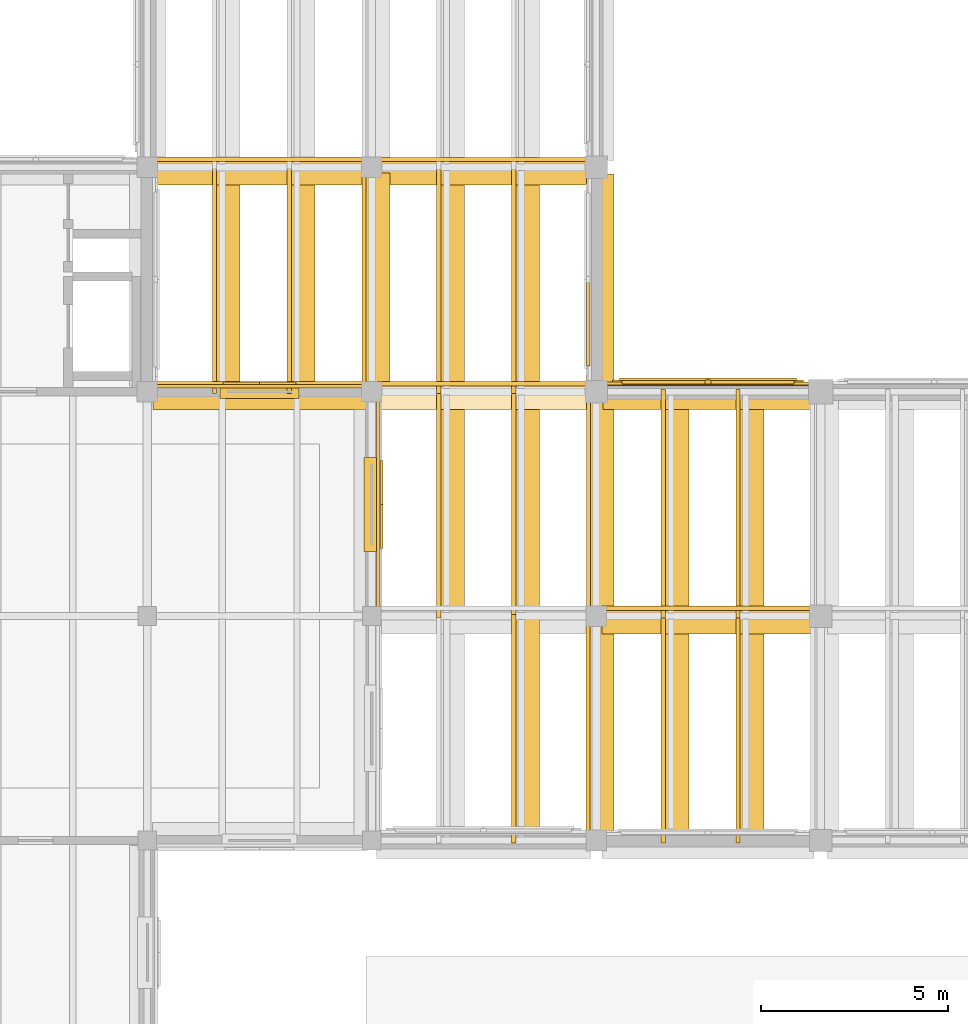
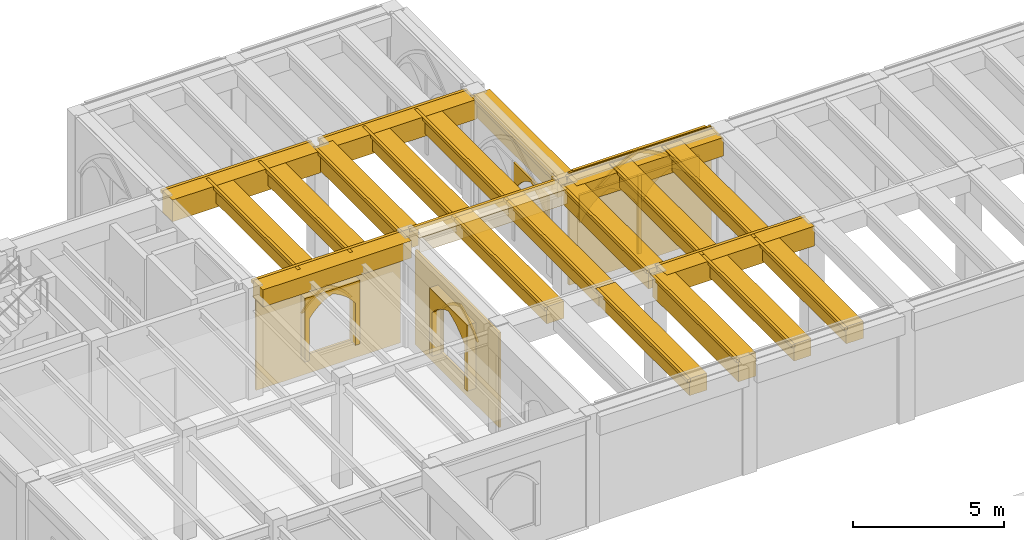
# One storey, part 124 of 127: 55 coverings.
"""IFC4 building model written with IfcOpenShell, lengths in metres."""

from ifc_helpers import new_model, si_unit, direction, frame, origin, origin_2d, place, context, subcontext, project, spatial, polyline, rectangle, outline, extrude, material, type_object, element, save


model = new_model("IFC4")

# Units and contexts
model_context = context("Model", 3, precision=1e-05, world=origin(), true_north=direction((0.0, 1.0)))
body_context = subcontext(model_context, "Body", "Model", "MODEL_VIEW")
ifc_project = project(units=[si_unit("LENGTHUNIT", "METRE"), si_unit("AREAUNIT", "SQUARE_METRE"), si_unit("VOLUMEUNIT", "CUBIC_METRE"), si_unit("PLANEANGLEUNIT", "RADIAN"), si_unit("MASSUNIT", "GRAM", prefix="KILO")], contexts=[model_context])

# Site, building, storey
site_placement = place(None, origin())
site = spatial("IfcSite", under=ifc_project, at=site_placement, CompositionType="ELEMENT")
building_placement = place(site_placement, origin())
building = spatial("IfcBuilding", under=site, at=building_placement, Name="Cumevento Cable Car Station", CompositionType="ELEMENT")
storey_placement = place(building_placement, frame((0.0, 0.0, 4.5)))
storey = spatial("IfcBuildingStorey", under=building, at=storey_placement, Name="L02", CompositionType="ELEMENT", Elevation=4.5)

# Coverings
ifc_material = material(Name="Gnaisse Facoidal Stone Ashlar 85 MPa", Category="masonry")
covering_type = type_object("IfcCoveringType", Name="Gnaisse Ashlar Cladding CV-CL01", PredefinedType="CLADDING", material=ifc_material)
covering_1_placement = place(storey_placement, frame((133.0, 44.851318359375, 3.73583984375), z_axis=(0.0, 0.0, 1.0), x_axis=(1.0, 0.0, 0.0)))
element("IfcCovering", 1, at=covering_1_placement, inside=storey, type_object=covering_type, Name="Gothic Stone Spandrel Stringcourse sc:0450", PredefinedType="CLADDING", context=body_context, shape_type="SweptSolid", body=[
    extrude(rectangle(XDim=5.68994140625, YDim=0.66259765625, at=origin_2d()), origin(), (0.0, 0.0, 1.0), 0.694091796875),
])
covering_2_placement = place(storey_placement, frame((133.0, 45.2099609375, 4.300048828125), z_axis=(0.0, 0.0, 1.0), x_axis=(1.0, 0.0, 0.0)))
element("IfcCovering", 2, at=covering_2_placement, inside=storey, type_object=covering_type, Name="Gothic Cornice Dripstone Lip sc:0450", PredefinedType="CLADDING", context=body_context, shape_type="SweptSolid", body=[
    extrude(rectangle(XDim=5.72998046875, YDim=0.114990234375, at=origin_2d()), origin(), (0.0, 0.0, 1.0), 0.1298828125),
])
covering_3_placement = place(storey_placement, frame((144.987548828125, 38.85009765625, 3.6728515625), z_axis=(0.0, 0.0, 1.0), x_axis=(1.0, 0.0, 0.0)))
element("IfcCovering", 3, at=covering_3_placement, inside=storey, type_object=covering_type, Name="Gothic Stone Spandrel Stringcourse sc:0461", PredefinedType="CLADDING", context=body_context, shape_type="SweptSolid", body=[
    extrude(rectangle(XDim=5.6650390625, YDim=0.659912109375, at=origin_2d()), origin(), (0.0, 0.0, 1.0), 0.797119140625),
])
covering_4_placement = place(storey_placement, frame((144.987548828125, 39.20751953125, 4.340087890625), z_axis=(0.0, 0.0, 1.0), x_axis=(1.0, 0.0, 0.0)))
element("IfcCovering", 4, at=covering_4_placement, inside=storey, type_object=covering_type, Name="Gothic Cornice Dripstone Lip sc:0461", PredefinedType="CLADDING", context=body_context, shape_type="SweptSolid", body=[
    extrude(rectangle(XDim=5.705078125, YDim=0.114990234375, at=origin_2d()), origin(), (0.0, 0.0, 1.0), 0.1298828125),
])
covering_5_placement = place(storey_placement, frame((138.987548828125, 44.850830078125, 3.837890625), z_axis=(0.0, 0.0, 1.0), x_axis=(1.0, 0.0, 0.0)))
element("IfcCovering", 5, at=covering_5_placement, inside=storey, type_object=covering_type, Name="Gothic Stone Spandrel Stringcourse sc:0465", PredefinedType="CLADDING", context=body_context, shape_type="SweptSolid", body=[
    extrude(rectangle(XDim=5.6650390625, YDim=0.66162109375, at=origin_2d()), origin(), (0.0, 0.0, 1.0), 0.592041015625),
])
covering_6_placement = place(storey_placement, frame((138.987548828125, 45.208984375, 4.300048828125), z_axis=(0.0, 0.0, 1.0), x_axis=(1.0, 0.0, 0.0)))
element("IfcCovering", 6, at=covering_6_placement, inside=storey, type_object=covering_type, Name="Gothic Cornice Dripstone Lip sc:0465", PredefinedType="CLADDING", context=body_context, shape_type="SweptSolid", body=[
    extrude(rectangle(XDim=5.705078125, YDim=0.114990234375, at=origin_2d()), origin(), (0.0, 0.0, 1.0), 0.1298828125),
])
covering_7_placement = place(storey_placement, frame((144.987548828125, 44.85009765625, 3.682861328125), z_axis=(0.0, 0.0, 1.0), x_axis=(1.0, 0.0, 0.0)))
element("IfcCovering", 7, at=covering_7_placement, inside=storey, type_object=covering_type, Name="Gothic Stone Spandrel Stringcourse sc:0466", PredefinedType="CLADDING", context=body_context, shape_type="SweptSolid", body=[
    extrude(rectangle(XDim=5.614990234375, YDim=0.659912109375, at=origin_2d()), origin(), (0.0, 0.0, 1.0), 0.7470703125),
])
covering_8_placement = place(storey_placement, frame((144.987548828125, 45.20751953125, 4.300048828125), z_axis=(0.0, 0.0, 1.0), x_axis=(1.0, 0.0, 0.0)))
element("IfcCovering", 8, at=covering_8_placement, inside=storey, type_object=covering_type, Name="Gothic Cornice Dripstone Lip sc:0466", PredefinedType="CLADDING", context=body_context, shape_type="SweptSolid", body=[
    extrude(rectangle(XDim=5.655029296875, YDim=0.114990234375, at=origin_2d()), origin(), (0.0, 0.0, 1.0), 0.1298828125),
])
covering_9_placement = place(storey_placement, frame((142.14306640625, 36.0, 3.52197265625), z_axis=(0.0, 0.0, 1.0), x_axis=(0.0, 1.0, 0.0)))
element("IfcCovering", 9, at=covering_9_placement, inside=storey, type_object=covering_type, Name="Gothic Stone Spandrel Stringcourse sc:0470", PredefinedType="CLADDING", context=body_context, shape_type="SweptSolid", body=[
    extrude(rectangle(XDim=5.68994140625, YDim=0.674072265625, at=origin_2d()), origin(), (0.0, 0.0, 1.0), 0.947998046875),
])
covering_10_placement = place(storey_placement, frame((141.778564453125, 36.0, 4.340087890625), z_axis=(0.0, 0.0, 1.0), x_axis=(0.0, 1.0, 0.0)))
element("IfcCovering", 10, at=covering_10_placement, inside=storey, type_object=covering_type, Name="Gothic Cornice Dripstone Lip sc:0470", PredefinedType="CLADDING", context=body_context, shape_type="SweptSolid", body=[
    extrude(rectangle(XDim=5.72998046875, YDim=0.114990234375, at=origin_2d()), origin(), (0.0, 0.0, 1.0), 0.1298828125),
])
covering_11_placement = place(storey_placement, frame((142.14990234375, 41.987548828125, 3.6328125), z_axis=(0.0, 0.0, 1.0), x_axis=(0.0, 1.0, 0.0)))
element("IfcCovering", 11, at=covering_11_placement, inside=storey, type_object=covering_type, Name="Gothic Stone Spandrel Stringcourse sc:0471", PredefinedType="CLADDING", context=body_context, shape_type="SweptSolid", body=[
    extrude(rectangle(XDim=5.6650390625, YDim=0.659912109375, at=origin_2d()), origin(), (0.0, 0.0, 1.0), 0.797119140625),
])
covering_12_placement = place(storey_placement, frame((141.79248046875, 41.987548828125, 4.300048828125), z_axis=(0.0, 0.0, 1.0), x_axis=(0.0, 1.0, 0.0)))
element("IfcCovering", 12, at=covering_12_placement, inside=storey, type_object=covering_type, Name="Gothic Cornice Dripstone Lip sc:0471", PredefinedType="CLADDING", context=body_context, shape_type="SweptSolid", body=[
    extrude(rectangle(XDim=5.705078125, YDim=0.114990234375, at=origin_2d()), origin(), (0.0, 0.0, 1.0), 0.1298828125),
])
covering_13_placement = place(storey_placement, frame((133.0, 50.852783203125, 3.551025390625), z_axis=(0.0, 0.0, 1.0), x_axis=(1.0, 0.0, 0.0)))
element("IfcCovering", 13, at=covering_13_placement, inside=storey, type_object=covering_type, Name="Gothic Stone Spandrel Stringcourse sc:0483", PredefinedType="CLADDING", context=body_context, shape_type="SweptSolid", body=[
    extrude(rectangle(XDim=5.68994140625, YDim=0.66552734375, at=origin_2d()), origin(), (0.0, 0.0, 1.0), 0.87890625),
])
covering_14_placement = place(storey_placement, frame((133.0, 51.212890625, 4.300048828125), z_axis=(0.0, 0.0, 1.0), x_axis=(1.0, 0.0, 0.0)))
element("IfcCovering", 14, at=covering_14_placement, inside=storey, type_object=covering_type, Name="Gothic Cornice Dripstone Lip sc:0483", PredefinedType="CLADDING", context=body_context, shape_type="SweptSolid", body=[
    extrude(rectangle(XDim=5.72998046875, YDim=0.114990234375, at=origin_2d()), origin(), (0.0, 0.0, 1.0), 0.1298828125),
])
covering_15_placement = place(storey_placement, frame((138.987548828125, 50.85009765625, 3.6328125), z_axis=(0.0, 0.0, 1.0), x_axis=(1.0, 0.0, 0.0)))
element("IfcCovering", 15, at=covering_15_placement, inside=storey, type_object=covering_type, Name="Gothic Stone Spandrel Stringcourse sc:0484", PredefinedType="CLADDING", context=body_context, shape_type="SweptSolid", body=[
    extrude(rectangle(XDim=5.6650390625, YDim=0.659912109375, at=origin_2d()), origin(), (0.0, 0.0, 1.0), 0.797119140625),
])
covering_16_placement = place(storey_placement, frame((138.987548828125, 51.20751953125, 4.300048828125), z_axis=(0.0, 0.0, 1.0), x_axis=(1.0, 0.0, 0.0)))
element("IfcCovering", 16, at=covering_16_placement, inside=storey, type_object=covering_type, Name="Gothic Cornice Dripstone Lip sc:0484", PredefinedType="CLADDING", context=body_context, shape_type="SweptSolid", body=[
    extrude(rectangle(XDim=5.705078125, YDim=0.114990234375, at=origin_2d()), origin(), (0.0, 0.0, 1.0), 0.1298828125),
])
covering_17_placement = place(storey_placement, frame((136.14990234375, 48.0, 3.6328125), z_axis=(0.0, 0.0, 1.0), x_axis=(0.0, 1.0, 0.0)))
element("IfcCovering", 17, at=covering_17_placement, inside=storey, type_object=covering_type, Name="Gothic Stone Spandrel Stringcourse sc:0488", PredefinedType="CLADDING", context=body_context, shape_type="SweptSolid", body=[
    extrude(rectangle(XDim=5.68994140625, YDim=0.659912109375, at=origin_2d()), origin(), (0.0, 0.0, 1.0), 0.797119140625),
])
covering_18_placement = place(storey_placement, frame((135.79248046875, 48.0, 4.300048828125), z_axis=(0.0, 0.0, 1.0), x_axis=(0.0, 1.0, 0.0)))
element("IfcCovering", 18, at=covering_18_placement, inside=storey, type_object=covering_type, Name="Gothic Cornice Dripstone Lip sc:0488", PredefinedType="CLADDING", context=body_context, shape_type="SweptSolid", body=[
    extrude(rectangle(XDim=5.72998046875, YDim=0.114990234375, at=origin_2d()), origin(), (0.0, 0.0, 1.0), 0.1298828125),
])
covering_19_placement = place(storey_placement, frame((142.14990234375, 48.0, 3.682861328125), z_axis=(0.0, 0.0, 1.0), x_axis=(0.0, 1.0, 0.0)))
element("IfcCovering", 19, at=covering_19_placement, inside=storey, type_object=covering_type, Name="Gothic Stone Spandrel Stringcourse sc:0490", PredefinedType="CLADDING", context=body_context, shape_type="SweptSolid", body=[
    extrude(rectangle(XDim=5.639892578125, YDim=0.659912109375, at=origin_2d()), origin(), (0.0, 0.0, 1.0), 0.7470703125),
])
covering_20_placement = place(storey_placement, frame((141.79248046875, 48.0, 4.300048828125), z_axis=(0.0, 0.0, 1.0), x_axis=(0.0, 1.0, 0.0)))
element("IfcCovering", 20, at=covering_20_placement, inside=storey, type_object=covering_type, Name="Gothic Cornice Dripstone Lip sc:0490", PredefinedType="CLADDING", context=body_context, shape_type="SweptSolid", body=[
    extrude(rectangle(XDim=5.679931640625, YDim=0.114990234375, at=origin_2d()), origin(), (0.0, 0.0, 1.0), 0.1298828125),
])
covering_21_placement = place(storey_placement, frame((138.14990234375, 42.001953125, 3.73486328125), z_axis=(0.0, 0.0, 1.0), x_axis=(0.0, 1.0, 0.0)))
element("IfcCovering", 21, at=covering_21_placement, inside=storey, type_object=covering_type, Name="Gothic Stone Spandrel Stringcourse sc:0553", PredefinedType="CLADDING", context=body_context, shape_type="SweptSolid", body=[
    extrude(rectangle(XDim=6.056884765625, YDim=0.659912109375, at=origin_2d()), origin(), (0.0, 0.0, 1.0), 0.695068359375),
])
covering_22_placement = place(storey_placement, frame((137.79248046875, 42.001953125, 4.300048828125), z_axis=(0.0, 0.0, 1.0), x_axis=(0.0, 1.0, 0.0)))
element("IfcCovering", 22, at=covering_22_placement, inside=storey, type_object=covering_type, Name="Gothic Cornice Dripstone Lip sc:0553", PredefinedType="CLADDING", context=body_context, shape_type="SweptSolid", body=[
    extrude(rectangle(XDim=6.096923828125, YDim=0.114990234375, at=origin_2d()), origin(), (0.0, 0.0, 1.0), 0.1298828125),
])
covering_23_placement = place(storey_placement, frame((140.14990234375, 35.99169921875, 3.77490234375), z_axis=(0.0, 0.0, 1.0), x_axis=(0.0, 1.0, 0.0)))
element("IfcCovering", 23, at=covering_23_placement, inside=storey, type_object=covering_type, Name="Gothic Stone Spandrel Stringcourse sc:0554", PredefinedType="CLADDING", context=body_context, shape_type="SweptSolid", body=[
    extrude(rectangle(XDim=6.069580078125, YDim=0.659912109375, at=origin_2d()), origin(), (0.0, 0.0, 1.0), 0.695068359375),
])
covering_24_placement = place(storey_placement, frame((139.79248046875, 35.99169921875, 4.340087890625), z_axis=(0.0, 0.0, 1.0), x_axis=(0.0, 1.0, 0.0)))
element("IfcCovering", 24, at=covering_24_placement, inside=storey, type_object=covering_type, Name="Gothic Cornice Dripstone Lip sc:0554", PredefinedType="CLADDING", context=body_context, shape_type="SweptSolid", body=[
    extrude(rectangle(XDim=6.109619140625, YDim=0.114990234375, at=origin_2d()), origin(), (0.0, 0.0, 1.0), 0.1298828125),
])
covering_25_placement = place(storey_placement, frame((140.14990234375, 42.001953125, 3.73486328125), z_axis=(0.0, 0.0, 1.0), x_axis=(0.0, 1.0, 0.0)))
element("IfcCovering", 25, at=covering_25_placement, inside=storey, type_object=covering_type, Name="Gothic Stone Spandrel Stringcourse sc:0555", PredefinedType="CLADDING", context=body_context, shape_type="SweptSolid", body=[
    extrude(rectangle(XDim=6.056884765625, YDim=0.659912109375, at=origin_2d()), origin(), (0.0, 0.0, 1.0), 0.695068359375),
])
covering_26_placement = place(storey_placement, frame((139.79248046875, 42.001953125, 4.300048828125), z_axis=(0.0, 0.0, 1.0), x_axis=(0.0, 1.0, 0.0)))
element("IfcCovering", 26, at=covering_26_placement, inside=storey, type_object=covering_type, Name="Gothic Cornice Dripstone Lip sc:0555", PredefinedType="CLADDING", context=body_context, shape_type="SweptSolid", body=[
    extrude(rectangle(XDim=6.096923828125, YDim=0.114990234375, at=origin_2d()), origin(), (0.0, 0.0, 1.0), 0.1298828125),
])
covering_27_placement = place(storey_placement, frame((144.14990234375, 35.9970703125, 3.77490234375), z_axis=(0.0, 0.0, 1.0), x_axis=(0.0, 1.0, 0.0)))
element("IfcCovering", 27, at=covering_27_placement, inside=storey, type_object=covering_type, Name="Gothic Stone Spandrel Stringcourse sc:0556", PredefinedType="CLADDING", context=body_context, shape_type="SweptSolid", body=[
    extrude(rectangle(XDim=6.080078125, YDim=0.659912109375, at=origin_2d()), origin(), (0.0, 0.0, 1.0), 0.695068359375),
])
covering_28_placement = place(storey_placement, frame((143.79248046875, 35.9970703125, 4.340087890625), z_axis=(0.0, 0.0, 1.0), x_axis=(0.0, 1.0, 0.0)))
element("IfcCovering", 28, at=covering_28_placement, inside=storey, type_object=covering_type, Name="Gothic Cornice Dripstone Lip sc:0556", PredefinedType="CLADDING", context=body_context, shape_type="SweptSolid", body=[
    extrude(rectangle(XDim=6.1201171875, YDim=0.114990234375, at=origin_2d()), origin(), (0.0, 0.0, 1.0), 0.1298828125),
])
covering_29_placement = place(storey_placement, frame((144.14990234375, 42.0029296875, 3.77490234375), z_axis=(0.0, 0.0, 1.0), x_axis=(0.0, 1.0, 0.0)))
element("IfcCovering", 29, at=covering_29_placement, inside=storey, type_object=covering_type, Name="Gothic Stone Spandrel Stringcourse sc:0557", PredefinedType="CLADDING", context=body_context, shape_type="SweptSolid", body=[
    extrude(rectangle(XDim=6.080078125, YDim=0.659912109375, at=origin_2d()), origin(), (0.0, 0.0, 1.0), 0.695068359375),
])
covering_30_placement = place(storey_placement, frame((143.79248046875, 42.0029296875, 4.340087890625), z_axis=(0.0, 0.0, 1.0), x_axis=(0.0, 1.0, 0.0)))
element("IfcCovering", 30, at=covering_30_placement, inside=storey, type_object=covering_type, Name="Gothic Cornice Dripstone Lip sc:0557", PredefinedType="CLADDING", context=body_context, shape_type="SweptSolid", body=[
    extrude(rectangle(XDim=6.1201171875, YDim=0.114990234375, at=origin_2d()), origin(), (0.0, 0.0, 1.0), 0.1298828125),
])
covering_31_placement = place(storey_placement, frame((146.14990234375, 35.9970703125, 3.77490234375), z_axis=(0.0, 0.0, 1.0), x_axis=(0.0, 1.0, 0.0)))
element("IfcCovering", 31, at=covering_31_placement, inside=storey, type_object=covering_type, Name="Gothic Stone Spandrel Stringcourse sc:0558", PredefinedType="CLADDING", context=body_context, shape_type="SweptSolid", body=[
    extrude(rectangle(XDim=6.080078125, YDim=0.659912109375, at=origin_2d()), origin(), (0.0, 0.0, 1.0), 0.695068359375),
])
covering_32_placement = place(storey_placement, frame((145.79248046875, 35.9970703125, 4.340087890625), z_axis=(0.0, 0.0, 1.0), x_axis=(0.0, 1.0, 0.0)))
element("IfcCovering", 32, at=covering_32_placement, inside=storey, type_object=covering_type, Name="Gothic Cornice Dripstone Lip sc:0558", PredefinedType="CLADDING", context=body_context, shape_type="SweptSolid", body=[
    extrude(rectangle(XDim=6.1201171875, YDim=0.114990234375, at=origin_2d()), origin(), (0.0, 0.0, 1.0), 0.1298828125),
])
covering_33_placement = place(storey_placement, frame((146.14990234375, 42.0029296875, 3.77490234375), z_axis=(0.0, 0.0, 1.0), x_axis=(0.0, 1.0, 0.0)))
element("IfcCovering", 33, at=covering_33_placement, inside=storey, type_object=covering_type, Name="Gothic Stone Spandrel Stringcourse sc:0559", PredefinedType="CLADDING", context=body_context, shape_type="SweptSolid", body=[
    extrude(rectangle(XDim=6.080078125, YDim=0.659912109375, at=origin_2d()), origin(), (0.0, 0.0, 1.0), 0.695068359375),
])
covering_34_placement = place(storey_placement, frame((145.79248046875, 42.0029296875, 4.340087890625), z_axis=(0.0, 0.0, 1.0), x_axis=(0.0, 1.0, 0.0)))
element("IfcCovering", 34, at=covering_34_placement, inside=storey, type_object=covering_type, Name="Gothic Cornice Dripstone Lip sc:0559", PredefinedType="CLADDING", context=body_context, shape_type="SweptSolid", body=[
    extrude(rectangle(XDim=6.1201171875, YDim=0.114990234375, at=origin_2d()), origin(), (0.0, 0.0, 1.0), 0.1298828125),
])
covering_35_placement = place(storey_placement, frame((132.14990234375, 47.99853515625, 3.73486328125), z_axis=(0.0, 0.0, 1.0), x_axis=(0.0, 1.0, 0.0)))
element("IfcCovering", 35, at=covering_35_placement, inside=storey, type_object=covering_type, Name="Gothic Stone Spandrel Stringcourse sc:0572", PredefinedType="CLADDING", context=body_context, shape_type="SweptSolid", body=[
    extrude(rectangle(XDim=6.055908203125, YDim=0.659912109375, at=origin_2d()), origin(), (0.0, 0.0, 1.0), 0.695068359375),
])
covering_36_placement = place(storey_placement, frame((131.79248046875, 47.99853515625, 4.300048828125), z_axis=(0.0, 0.0, 1.0), x_axis=(0.0, 1.0, 0.0)))
element("IfcCovering", 36, at=covering_36_placement, inside=storey, type_object=covering_type, Name="Gothic Cornice Dripstone Lip sc:0572", PredefinedType="CLADDING", context=body_context, shape_type="SweptSolid", body=[
    extrude(rectangle(XDim=6.095947265625, YDim=0.114990234375, at=origin_2d()), origin(), (0.0, 0.0, 1.0), 0.1298828125),
])
covering_37_placement = place(storey_placement, frame((134.14990234375, 47.99853515625, 3.73486328125), z_axis=(0.0, 0.0, 1.0), x_axis=(0.0, 1.0, 0.0)))
element("IfcCovering", 37, at=covering_37_placement, inside=storey, type_object=covering_type, Name="Gothic Stone Spandrel Stringcourse sc:0574", PredefinedType="CLADDING", context=body_context, shape_type="SweptSolid", body=[
    extrude(rectangle(XDim=6.055908203125, YDim=0.659912109375, at=origin_2d()), origin(), (0.0, 0.0, 1.0), 0.695068359375),
])
covering_38_placement = place(storey_placement, frame((133.79248046875, 47.99853515625, 4.300048828125), z_axis=(0.0, 0.0, 1.0), x_axis=(0.0, 1.0, 0.0)))
element("IfcCovering", 38, at=covering_38_placement, inside=storey, type_object=covering_type, Name="Gothic Cornice Dripstone Lip sc:0574", PredefinedType="CLADDING", context=body_context, shape_type="SweptSolid", body=[
    extrude(rectangle(XDim=6.095947265625, YDim=0.114990234375, at=origin_2d()), origin(), (0.0, 0.0, 1.0), 0.1298828125),
])
covering_39_placement = place(storey_placement, frame((138.14990234375, 48.003173828125, 3.73486328125), z_axis=(0.0, 0.0, 1.0), x_axis=(0.0, 1.0, 0.0)))
element("IfcCovering", 39, at=covering_39_placement, inside=storey, type_object=covering_type, Name="Gothic Stone Spandrel Stringcourse sc:0576", PredefinedType="CLADDING", context=body_context, shape_type="SweptSolid", body=[
    extrude(rectangle(XDim=6.0673828125, YDim=0.659912109375, at=origin_2d()), origin(), (0.0, 0.0, 1.0), 0.695068359375),
])
covering_40_placement = place(storey_placement, frame((137.79248046875, 48.003173828125, 4.300048828125), z_axis=(0.0, 0.0, 1.0), x_axis=(0.0, 1.0, 0.0)))
element("IfcCovering", 40, at=covering_40_placement, inside=storey, type_object=covering_type, Name="Gothic Cornice Dripstone Lip sc:0576", PredefinedType="CLADDING", context=body_context, shape_type="SweptSolid", body=[
    extrude(rectangle(XDim=6.107421875, YDim=0.114990234375, at=origin_2d()), origin(), (0.0, 0.0, 1.0), 0.1298828125),
])
covering_41_placement = place(storey_placement, frame((140.14990234375, 48.003173828125, 3.73486328125), z_axis=(0.0, 0.0, 1.0), x_axis=(0.0, 1.0, 0.0)))
element("IfcCovering", 41, at=covering_41_placement, inside=storey, type_object=covering_type, Name="Gothic Stone Spandrel Stringcourse sc:0578", PredefinedType="CLADDING", context=body_context, shape_type="SweptSolid", body=[
    extrude(rectangle(XDim=6.0673828125, YDim=0.659912109375, at=origin_2d()), origin(), (0.0, 0.0, 1.0), 0.695068359375),
])
covering_42_placement = place(storey_placement, frame((139.79248046875, 48.003173828125, 4.300048828125), z_axis=(0.0, 0.0, 1.0), x_axis=(0.0, 1.0, 0.0)))
element("IfcCovering", 42, at=covering_42_placement, inside=storey, type_object=covering_type, Name="Gothic Cornice Dripstone Lip sc:0578", PredefinedType="CLADDING", context=body_context, shape_type="SweptSolid", body=[
    extrude(rectangle(XDim=6.107421875, YDim=0.114990234375, at=origin_2d()), origin(), (0.0, 0.0, 1.0), 0.1298828125),
])
covering_43_placement = place(storey_placement, frame((142.300048828125, 45.0, 0.0), z_axis=(0.0, 0.0, 1.0), x_axis=(1.0, 0.0, 0.0)))
element("IfcCovering", 43, at=covering_43_placement, inside=storey, type_object=covering_type, Name="Exterior Gnaisse Stone Wall Ashlar #94", PredefinedType="CLADDING", context=body_context, shape_type="SweptSolid", body=[
    extrude(outline(polyline([(-0.0400390625, -0.02001953125), (5.4150390625, -0.02001953125), (5.4150390625, 4.52001953125), (-0.0400390625, 4.52001953125), (-0.0400390625, -0.02001953125)])), frame((0.0, 0.262451171875, 0.0), z_axis=(0.0, -1.0, 0.0), x_axis=(1.0, 0.0, 0.0)), (0.0, 0.0, 1.0), 0.0849609375),
])
placement = place(storey_placement, frame((142.47998046875, 45.0, 0.300048828125), z_axis=(0.0, 0.0, 1.0), x_axis=(1.0, 0.0, 0.0)))
element("IfcCovering", 44, at=placement, inside=storey, type_object=covering_type, Name="Gothic Ogival Pointed-Arch Stone Spandrel blind_ogival:0094", PredefinedType="CLADDING", context=body_context, shape_type="SweptSolid", body=[
    extrude(outline(polyline([(-0.050048828125, 0.0), (-0.050048828125, 4.239990234375), (5.06494140625, 4.239990234375), (5.06494140625, 0.0), (4.7548828125, 0.0), (4.7548828125, 2.219970703125), (4.509033203125, 2.557861328125), (4.23388671875, 2.87255859375), (3.932373046875, 3.16162109375), (3.60595703125, 3.4228515625), (3.258056640625, 3.654296875), (2.890869140625, 3.853759765625), (2.507568359375, 4.02001953125), (2.1240234375, 3.853759765625), (1.7568359375, 3.654296875), (1.408935546875, 3.4228515625), (1.08251953125, 3.16162109375), (0.781005859375, 2.87255859375), (0.505859375, 2.557861328125), (0.260009765625, 2.219970703125), (0.260009765625, 0.0), (-0.050048828125, 0.0)])), frame((0.0, 0.3173828125, 0.0), z_axis=(0.0, -1.0, 0.0), x_axis=(1.0, 0.0, 0.0)), (0.0, 0.0, 1.0), 0.110107421875),
])
covering_45_placement = place(storey_placement, frame((142.47998046875, 45.0, 2.52001953125), z_axis=(0.0, 0.0, 1.0), x_axis=(1.0, 0.0, 0.0)))
element("IfcCovering", 45, at=covering_45_placement, inside=storey, type_object=covering_type, Name="Gothic Pointed Archivolt Hood Moulding blind_ogival:0094", PredefinedType="CLADDING", context=body_context, shape_type="SweptSolid", body=[
    extrude(outline(polyline([(0.260009765625, 0.0), (0.505859375, 0.337890625), (0.781005859375, 0.652587890625), (1.08251953125, 0.941650390625), (1.408935546875, 1.202880859375), (1.7568359375, 1.434326171875), (2.1240234375, 1.6337890625), (2.507568359375, 1.800048828125), (2.890869140625, 1.6337890625), (3.258056640625, 1.434326171875), (3.60595703125, 1.202880859375), (3.932373046875, 0.941650390625), (4.23388671875, 0.652587890625), (4.509033203125, 0.337890625), (4.7548828125, 0.0), (4.8759765625, 0.0), (4.62060546875, 0.365234375), (4.333251953125, 0.7060546875), (4.016357421875, 1.019287109375), (3.67236328125, 1.302734375), (3.30419921875, 1.5537109375), (2.914794921875, 1.7705078125), (2.507568359375, 1.951171875), (2.10009765625, 1.7705078125), (1.710693359375, 1.5537109375), (1.342529296875, 1.302734375), (0.99853515625, 1.019287109375), (0.681640625, 0.7060546875), (0.394287109375, 0.365234375), (0.138916015625, 0.0), (0.260009765625, 0.0)])), frame((0.0, 0.359619140625, 0.0), z_axis=(0.0, -1.0, 0.0), x_axis=(1.0, 0.0, 0.0)), (0.0, 0.0, 1.0), 0.06689453125),
])
element("IfcCovering", 46, at=placement, inside=storey, type_object=covering_type, Name="Gothic Bifora Stone Colonnette blind_ogival:0094 #1", PredefinedType="CLADDING", context=body_context, shape_type="SweptSolid", body=[
    extrude(outline(polyline([(2.4326171875, -0.02001953125), (2.58251953125, -0.02001953125), (2.58251953125, 3.156005859375), (2.4326171875, 3.156005859375), (2.4326171875, -0.02001953125)])), frame((0.0, 0.305419921875, 0.0), z_axis=(0.0, -1.0, 0.0), x_axis=(1.0, 0.0, 0.0)), (0.0, 0.0, 1.0), 0.094970703125),
])
for number, where, z_axis, x_axis, name in (
    (47, (142.7099609375, 45.0, 2.340087890625), (0.0, 0.0, 1.0), (1.0, 0.0, 0.0), "Gothic Ogival Pointed-Arch Stone Spandrel blind_ogival:0094:sub:0"),
    (48, (145.032470703125, 45.0, 2.340087890625), (0.0, 0.0, 1.0), (1.0, 0.0, 0.0), "Gothic Ogival Pointed-Arch Stone Spandrel blind_ogival:0094:sub:1"),
):
    element("IfcCovering", number, at=place(storey_placement, frame(where, z_axis=z_axis, x_axis=x_axis)), inside=storey, type_object=covering_type, Name=name, PredefinedType="CLADDING", context=body_context, shape_type="SweptSolid", body=[
        extrude(outline(polyline([(-0.02001953125, 0.0), (-0.02001953125, 1.115966796875), (2.25244140625, 1.115966796875), (2.25244140625, 0.0), (2.1923828125, 0.0), (2.064697265625, 0.2138671875), (1.91357421875, 0.411865234375), (1.74072265625, 0.59130859375), (1.54833984375, 0.749755859375), (1.33935546875, 0.88525390625), (1.1162109375, 0.99609375), (0.89306640625, 0.88525390625), (0.68408203125, 0.749755859375), (0.49169921875, 0.59130859375), (0.31884765625, 0.411865234375), (0.167724609375, 0.2138671875), (0.0400390625, 0.0), (-0.02001953125, 0.0)])), frame((0.0, 0.301513671875, 0.0), z_axis=(0.0, -1.0, 0.0), x_axis=(1.0, 0.0, 0.0)), (0.0, 0.0, 1.0), 0.090087890625),
    ])
covering_47_placement = place(storey_placement, frame((142.0, 45.7099609375, 2.340087890625), z_axis=(0.0, 0.0, 1.0), x_axis=(0.0, 1.0, 0.0)))
element("IfcCovering", 49, at=covering_47_placement, inside=storey, type_object=covering_type, Name="Gothic Ogival Pointed-Arch Stone Spandrel blind_ogival:0108:sub:0", PredefinedType="CLADDING", context=body_context, shape_type="SweptSolid", body=[
    extrude(outline(polyline([(-0.02001953125, 0.0), (-0.02001953125, 1.115966796875), (2.264892578125, 1.115966796875), (2.264892578125, 0.0), (2.205078125, 0.0), (2.076171875, 0.214111328125), (1.923828125, 0.412109375), (1.75, 0.591552734375), (1.556640625, 0.75), (1.3466796875, 0.88525390625), (1.12255859375, 0.99609375), (0.8984375, 0.88525390625), (0.6884765625, 0.75), (0.4951171875, 0.591552734375), (0.3212890625, 0.412109375), (0.1689453125, 0.214111328125), (0.0400390625, 0.0), (-0.02001953125, 0.0)])), frame((0.0, 0.25390625, 0.0), z_axis=(0.0, -1.0, 0.0), x_axis=(1.0, 0.0, 0.0)), (0.0, 0.0, 1.0), 0.090087890625),
])
covering_48_placement = place(storey_placement, frame((130.27490234375, 45.0, 0.0), z_axis=(0.0, 0.0, 1.0), x_axis=(1.0, 0.0, 0.0)))
element("IfcCovering", 50, at=covering_48_placement, inside=storey, type_object=covering_type, Name="Exterior Gnaisse Stone Wall Ashlar #214", PredefinedType="CLADDING", context=body_context, shape_type="SweptSolid", body=[
    extrude(outline(polyline([(-0.0400390625, -0.02001953125), (5.489990234375, -0.02001953125), (5.489990234375, 3.81591796875), (-0.0400390625, 3.81591796875), (-0.0400390625, -0.02001953125)]), holes=[polyline([(1.860107421875, 0.760009765625), (3.590087890625, 0.760009765625), (3.590087890625, 3.0400390625), (1.860107421875, 3.0400390625), (1.860107421875, 0.760009765625)])]), frame((0.0, 0.18505859375, 0.0), z_axis=(0.0, -1.0, 0.0), x_axis=(1.0, 0.0, 0.0)), (0.0, 0.0, 1.0), 0.0849609375),
])
covering_49_placement = place(storey_placement, frame((131.985107421875, 45.0, 0.699951171875), z_axis=(0.0, 0.0, 1.0), x_axis=(1.0, 0.0, 0.0)))
element("IfcCovering", 51, at=covering_49_placement, inside=storey, type_object=covering_type, Name="Gothic Ogival Pointed-Arch Stone Spandrel op_ogival:0214:1", PredefinedType="CLADDING", context=body_context, shape_type="SweptSolid", body=[
    extrude(outline(polyline([(-0.0400390625, 0.0), (-0.0400390625, 2.570068359375), (2.070068359375, 2.570068359375), (2.070068359375, 0.0), (1.889892578125, 0.0), (1.889892578125, 1.7060546875), (1.79296875, 1.834716796875), (1.685302734375, 1.954345703125), (1.567626953125, 2.064453125), (1.440673828125, 2.16357421875), (1.305419921875, 2.25146484375), (1.163330078125, 2.3271484375), (1.014892578125, 2.39013671875), (0.86669921875, 2.3271484375), (0.724609375, 2.25146484375), (0.58935546875, 2.16357421875), (0.46240234375, 2.064453125), (0.3447265625, 1.954345703125), (0.237060546875, 1.834716796875), (0.139892578125, 1.7060546875), (0.139892578125, 0.0), (-0.0400390625, 0.0)])), frame((0.0, 0.222900390625, 0.0), z_axis=(0.0, -1.0, 0.0), x_axis=(1.0, 0.0, 0.0)), (0.0, 0.0, 1.0), 0.39990234375),
])
covering_50_placement = place(storey_placement, frame((131.985107421875, 45.0, 2.406005859375), z_axis=(0.0, 0.0, 1.0), x_axis=(1.0, 0.0, 0.0)))
element("IfcCovering", 52, at=covering_50_placement, inside=storey, type_object=covering_type, Name="Gothic Pointed Archivolt Hood Moulding op_ogival:0214:1", PredefinedType="CLADDING", context=body_context, shape_type="SweptSolid", body=[
    extrude(outline(polyline([(0.139892578125, 0.0), (0.237060546875, 0.128662109375), (0.3447265625, 0.248291015625), (0.46240234375, 0.3583984375), (0.58935546875, 0.45751953125), (0.724609375, 0.54541015625), (0.86669921875, 0.62109375), (1.014892578125, 0.68408203125), (1.163330078125, 0.62109375), (1.305419921875, 0.54541015625), (1.440673828125, 0.45751953125), (1.567626953125, 0.3583984375), (1.685302734375, 0.248291015625), (1.79296875, 0.128662109375), (1.889892578125, 0.0), (1.989013671875, 0.0), (1.884521484375, 0.151123046875), (1.7666015625, 0.292236328125), (1.63623046875, 0.421875), (1.494873046875, 0.5390625), (1.34326171875, 0.64306640625), (1.182861328125, 0.73291015625), (1.014892578125, 0.807861328125), (0.84716796875, 0.73291015625), (0.686767578125, 0.64306640625), (0.53515625, 0.5390625), (0.393798828125, 0.421875), (0.263427734375, 0.292236328125), (0.1455078125, 0.151123046875), (0.041015625, 0.0), (0.139892578125, 0.0)])), frame((0.0, 0.264892578125, 0.0), z_axis=(0.0, -1.0, 0.0), x_axis=(1.0, 0.0, 0.0)), (0.0, 0.0, 1.0), 0.06689453125),
])
covering_51_placement = place(storey_placement, frame((136.0, 44.72509765625, 0.0), z_axis=(0.0, 0.0, 1.0), x_axis=(0.0, -1.0, 0.0)))
element("IfcCovering", 53, at=covering_51_placement, inside=storey, type_object=covering_type, Name="Exterior Gnaisse Stone Wall Ashlar #218", PredefinedType="CLADDING", context=body_context, shape_type="SweptSolid", body=[
    extrude(outline(polyline([(-0.0400390625, -0.02001953125), (5.514892578125, -0.02001953125), (5.514892578125, 3.81591796875), (-0.0400390625, 3.81591796875), (-0.0400390625, -0.02001953125)]), holes=[polyline([(1.672607421875, 0.7099609375), (3.802490234375, 0.7099609375), (3.802490234375, 3.090087890625), (1.672607421875, 3.090087890625), (1.672607421875, 0.7099609375)])]), frame((0.0, 0.215087890625, 0.0), z_axis=(0.0, -1.0, 0.0), x_axis=(1.0, 0.0, 0.0)), (0.0, 0.0, 1.0), 0.0849609375),
])
covering_52_placement = place(storey_placement, frame((136.0, 43.202392578125, 0.64990234375), z_axis=(0.0, 0.0, 1.0), x_axis=(0.0, -1.0, 0.0)))
element("IfcCovering", 54, at=covering_52_placement, inside=storey, type_object=covering_type, Name="Gothic Ogival Pointed-Arch Stone Spandrel op_ogival:0218:1", PredefinedType="CLADDING", context=body_context, shape_type="SweptSolid", body=[
    extrude(outline(polyline([(-0.0400390625, 0.0), (-0.0400390625, 2.669921875), (2.469970703125, 2.669921875), (2.469970703125, 0.0), (2.2900390625, 0.0), (2.2900390625, 1.778076171875), (2.162109375, 1.913818359375), (2.0244140625, 2.039306640625), (1.87744140625, 2.15380859375), (1.721923828125, 2.2568359375), (1.55908203125, 2.347412109375), (1.3896484375, 2.42529296875), (1.215087890625, 2.489990234375), (1.040283203125, 2.42529296875), (0.870849609375, 2.347412109375), (0.7080078125, 2.2568359375), (0.552490234375, 2.15380859375), (0.405517578125, 2.039306640625), (0.267822265625, 1.913818359375), (0.139892578125, 1.778076171875), (0.139892578125, 0.0), (-0.0400390625, 0.0)])), frame((0.0, 0.2529296875, 0.0), z_axis=(0.0, -1.0, 0.0), x_axis=(1.0, 0.0, 0.0)), (0.0, 0.0, 1.0), 0.4599609375),
])
covering_53_placement = place(storey_placement, frame((136.0, 43.202392578125, 2.427978515625), z_axis=(0.0, 0.0, 1.0), x_axis=(0.0, -1.0, 0.0)))
element("IfcCovering", 55, at=covering_53_placement, inside=storey, type_object=covering_type, Name="Gothic Pointed Archivolt Hood Moulding op_ogival:0218:1", PredefinedType="CLADDING", context=body_context, shape_type="SweptSolid", body=[
    extrude(outline(polyline([(0.139892578125, 0.0), (0.267822265625, 0.1357421875), (0.405517578125, 0.26123046875), (0.552490234375, 0.375732421875), (0.7080078125, 0.478759765625), (0.870849609375, 0.5693359375), (1.040283203125, 0.647216796875), (1.215087890625, 0.7119140625), (1.3896484375, 0.647216796875), (1.55908203125, 0.5693359375), (1.721923828125, 0.478759765625), (1.87744140625, 0.375732421875), (2.0244140625, 0.26123046875), (2.162109375, 0.1357421875), (2.2900390625, 0.0), (2.388916015625, 0.0), (2.253173828125, 0.158447265625), (2.105224609375, 0.305419921875), (1.945556640625, 0.439697265625), (1.775634765625, 0.560791015625), (1.596435546875, 0.66748046875), (1.4091796875, 0.75927734375), (1.215087890625, 0.835693359375), (1.020751953125, 0.75927734375), (0.83349609375, 0.66748046875), (0.654296875, 0.560791015625), (0.484375, 0.439697265625), (0.32470703125, 0.305419921875), (0.1767578125, 0.158447265625), (0.041015625, 0.0), (0.139892578125, 0.0)])), frame((0.0, 0.294921875, 0.0), z_axis=(0.0, -1.0, 0.0), x_axis=(1.0, 0.0, 0.0)), (0.0, 0.0, 1.0), 0.06689453125),
])

save(model, "model.ifc")
